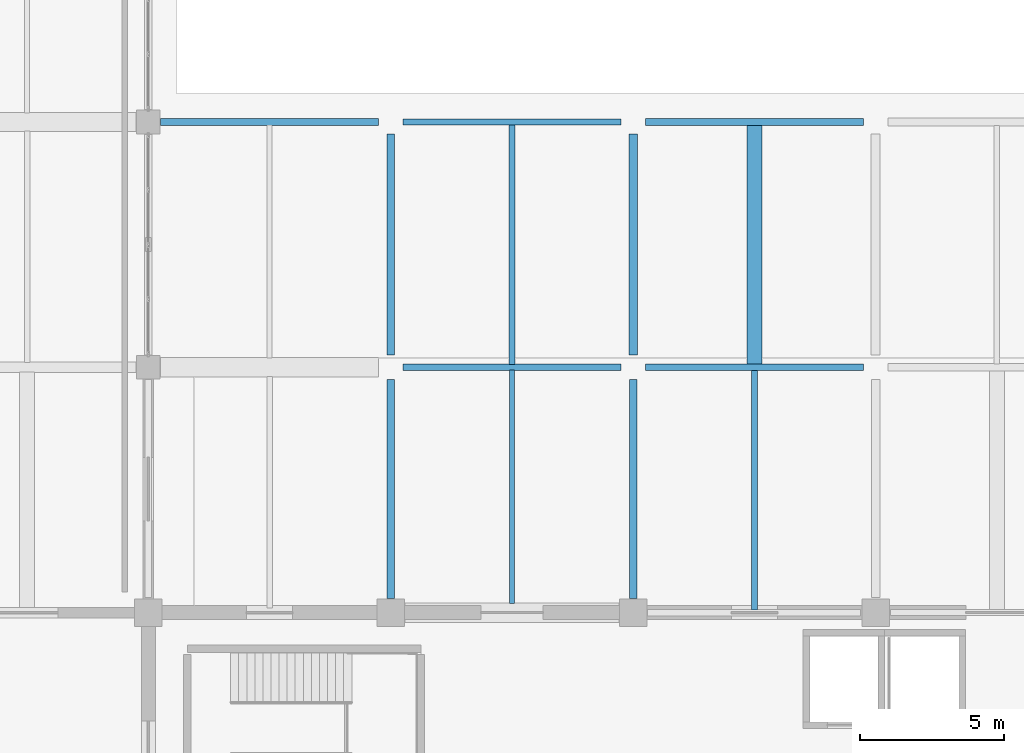
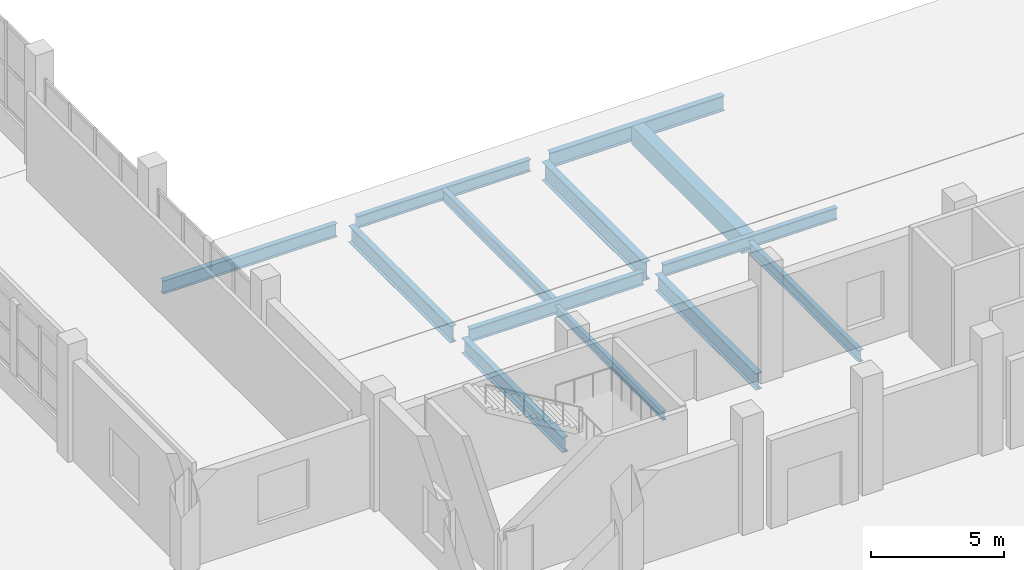
# One storey, part 39 of 107: 13 beams.
"""IFC4 building model written with IfcOpenShell, lengths in metres."""

from ifc_helpers import new_model, si_unit, direction, frame, origin, origin_2d, place, context, subcontext, project, spatial, rectangle, i_section, extrude, material, material_profile, profile_set, type_object, element, save


model = new_model("IFC4")

# Units and contexts
model_context = context("Model", 3, precision=1e-05, world=origin(), true_north=direction((0.0, 1.0)))
body_context = subcontext(model_context, "Body", "Model", "MODEL_VIEW")
ifc_project = project(units=[si_unit("LENGTHUNIT", "METRE"), si_unit("AREAUNIT", "SQUARE_METRE"), si_unit("VOLUMEUNIT", "CUBIC_METRE"), si_unit("PLANEANGLEUNIT", "RADIAN"), si_unit("MASSUNIT", "GRAM", prefix="KILO")], contexts=[model_context])

# Site, building, storey
site_placement = place(None, origin())
site = spatial("IfcSite", under=ifc_project, at=site_placement, CompositionType="ELEMENT")
building_placement = place(site_placement, origin())
building = spatial("IfcBuilding", under=site, at=building_placement, Name="Solvento Point Concert Hall", CompositionType="ELEMENT")
storey_placement = place(building_placement, origin())
storey = spatial("IfcBuildingStorey", under=building, at=storey_placement, Name="L00", CompositionType="ELEMENT", Elevation=0.0)

# Beams
ifc_material_1 = material(Name="Concrete C35/45", Category="concrete")
ifc_material_profile_1 = material_profile(ifc_material_1, rectangle(XDim=0.52001953125, YDim=0.840087890625, at=origin_2d()), Name="RC-BM-520X840")
ifc_profile_set_1 = profile_set([ifc_material_profile_1], Name="Concrete C35/45")
beam_type_1 = type_object("IfcBeamType", Name="Beam_RC_520x840", PredefinedType="BEAM", material=ifc_profile_set_1)
beam_1_placement = place(storey_placement, frame((95.39990234375, 102.092041015625, -0.6640625), z_axis=(0.0, 1.0, 0.0), x_axis=(-1.0, 0.0, 0.0)))
element("IfcBeam", 1, at=beam_1_placement, inside=storey, type_object=beam_type_1, Name="Secondary floor joist B-54 L00", PredefinedType="BEAM", context=body_context, shape_type="SweptSolid", body=[
    extrude(rectangle(XDim=0.52001953125, YDim=0.840087890625, at=origin_2d()), origin(), (0.0, 0.0, 1.0), 8.294921875),
])
ifc_material_2 = material(Name="Structural Steel ASTM A992 Grade 50", Category="steel")
ifc_material_profile_2 = material_profile(ifc_material_2, i_section(OverallWidth=0.20947265625, OverallDepth=0.532958984375, WebThickness=0.01025390625, FlangeThickness=0.015625, at=origin_2d()), Name="W21X62")
ifc_profile_set_2 = profile_set([ifc_material_profile_2], Name="Structural Steel ASTM A992 Grade 50")
beam_type_2 = type_object("IfcBeamType", Name="Beam_W21X62", PredefinedType="BEAM", material=ifc_profile_set_2)
for number, where, z_axis, x_axis, name in (
    (2, (87.0, 102.09912109375, -0.510498046875), (0.0, 1.0, 0.0), (-1.0, 0.0, 0.0), "Secondary floor joist B-25 L00"),
    (3, (95.39990234375, 93.59912109375, -0.700439453125), (0.0, 1.0, 0.0), (-1.0, 0.0, 0.0), "Secondary floor joist B-25 L00"),
):
    element("IfcBeam", number, at=place(storey_placement, frame(where, z_axis=z_axis, x_axis=x_axis)), inside=storey, type_object=beam_type_2, Name=name, PredefinedType="BEAM", context=body_context, shape_type="SweptSolid", body=[
        extrude(i_section(OverallWidth=0.20947265625, OverallDepth=0.532958984375, WebThickness=0.01025390625, FlangeThickness=0.015625, at=origin_2d()), origin(), (0.0, 0.0, 1.0), 8.308837890625),
    ])
ifc_material_3 = material(Name="Structural Steel ASTM A992 Grade 50", Category="steel")
ifc_material_profile_3 = material_profile(ifc_material_3, i_section(OverallWidth=0.214111328125, OverallDepth=0.549072265625, WebThickness=0.0146484375, FlangeThickness=0.023681640625, at=origin_2d()), Name="W21X93")
ifc_profile_set_3 = profile_set([ifc_material_profile_3], Name="Structural Steel ASTM A992 Grade 50")
beam_type_3 = type_object("IfcBeamType", Name="Beam_W21X93", PredefinedType="BEAM", material=ifc_profile_set_3)
beam_2_placement = place(storey_placement, frame((91.6240234375, 102.0, -0.5185546875), z_axis=(1.0, 0.0, 0.0), x_axis=(0.0, 1.0, 0.0)))
element("IfcBeam", 4, at=beam_2_placement, inside=storey, type_object=beam_type_3, Name="Primary girder B-48 L00", PredefinedType="BEAM", context=body_context, shape_type="SweptSolid", body=[
    extrude(i_section(OverallWidth=0.214111328125, OverallDepth=0.549072265625, WebThickness=0.0146484375, FlangeThickness=0.023681640625, at=origin_2d()), origin(), (0.0, 0.0, 1.0), 7.552001953125),
])
beam_3_placement = place(storey_placement, frame((83.22412109375, 110.5, -0.5185546875), z_axis=(1.0, 0.0, 0.0), x_axis=(0.0, 1.0, 0.0)))
element("IfcBeam", 5, at=beam_3_placement, inside=storey, type_object=beam_type_3, Name="Primary girder B-48 L00", PredefinedType="BEAM", context=body_context, shape_type="SweptSolid", body=[
    extrude(i_section(OverallWidth=0.214111328125, OverallDepth=0.549072265625, WebThickness=0.0146484375, FlangeThickness=0.023681640625, at=origin_2d()), origin(), (0.0, 0.0, 1.0), 7.5517578125),
])
ifc_material_4 = material(Name="Structural Steel ASTM A992 Grade 50", Category="steel")
ifc_material_profile_4 = material_profile(ifc_material_4, i_section(OverallWidth=0.228515625, OverallDepth=0.60791015625, WebThickness=0.01123046875, FlangeThickness=0.017333984375, at=origin_2d()), Name="W24X76")
ifc_profile_set_4 = profile_set([ifc_material_profile_4], Name="Structural Steel ASTM A992 Grade 50")
beam_type_4 = type_object("IfcBeamType", Name="Beam_W24X76", PredefinedType="BEAM", material=ifc_profile_set_4)
beam_4_placement = place(storey_placement, frame((83.22412109375, 102.0, -0.548095703125), z_axis=(1.0, 0.0, 0.0), x_axis=(0.0, 1.0, 0.0)))
element("IfcBeam", 6, at=beam_4_placement, inside=storey, type_object=beam_type_4, Name="Primary girder B-42 L00", PredefinedType="BEAM", context=body_context, shape_type="SweptSolid", body=[
    extrude(i_section(OverallWidth=0.228515625, OverallDepth=0.60791015625, WebThickness=0.01123046875, FlangeThickness=0.017333984375, at=origin_2d()), origin(), (0.0, 0.0, 1.0), 7.5517578125),
])
beam_5_placement = place(storey_placement, frame((74.823974609375, 110.5, -0.548095703125), z_axis=(1.0, 0.0, 0.0), x_axis=(0.0, 1.0, 0.0)))
element("IfcBeam", 7, at=beam_5_placement, inside=storey, type_object=beam_type_4, Name="Primary girder B-42 L00", PredefinedType="BEAM", context=body_context, shape_type="SweptSolid", body=[
    extrude(i_section(OverallWidth=0.228515625, OverallDepth=0.60791015625, WebThickness=0.01123046875, FlangeThickness=0.017333984375, at=origin_2d()), origin(), (0.0, 0.0, 1.0), 7.552001953125),
])
ifc_material_5 = material(Name="Structural Steel ASTM A992 Grade 50", Category="steel")
ifc_material_profile_5 = material_profile(ifc_material_5, i_section(OverallWidth=0.256103515625, OverallDepth=0.693115234375, WebThickness=0.014404296875, FlangeThickness=0.023681640625, at=origin_2d()), Name="W27X114")
ifc_profile_set_5 = profile_set([ifc_material_profile_5], Name="Structural Steel ASTM A992 Grade 50")
beam_type_5 = type_object("IfcBeamType", Name="Girder_W27X114", PredefinedType="USERDEFINED", material=ifc_profile_set_5)
beam_6_placement = place(storey_placement, frame((91.6240234375, 110.5, -0.590576171875), z_axis=(1.0, 0.0, 0.0), x_axis=(0.0, 1.0, 0.0)))
element("IfcBeam", 8, at=beam_6_placement, inside=storey, type_object=beam_type_5, Name="Primary girder B-23 L00", ObjectType="GIRDER", PredefinedType="USERDEFINED", context=body_context, shape_type="SweptSolid", body=[
    extrude(i_section(OverallWidth=0.256103515625, OverallDepth=0.693115234375, WebThickness=0.014404296875, FlangeThickness=0.023681640625, at=origin_2d()), origin(), (0.0, 0.0, 1.0), 7.552001953125),
])
beam_7_placement = place(storey_placement, frame((82.800048828125, 93.993896484375, -0.590576171875), z_axis=(0.0, 1.0, 0.0), x_axis=(-1.0, 0.0, 0.0)))
element("IfcBeam", 9, at=beam_7_placement, inside=storey, type_object=beam_type_5, Name="Primary girder B-23 L00", ObjectType="GIRDER", PredefinedType="USERDEFINED", context=body_context, shape_type="SweptSolid", body=[
    extrude(i_section(OverallWidth=0.256103515625, OverallDepth=0.693115234375, WebThickness=0.014404296875, FlangeThickness=0.023681640625, at=origin_2d()), origin(), (0.0, 0.0, 1.0), 7.58203125),
])
ifc_material_6 = material(Name="Structural Steel ASTM A992 Grade 50", Category="steel")
ifc_material_profile_6 = material_profile(ifc_material_6, i_section(OverallWidth=0.26806640625, OverallDepth=0.77001953125, WebThickness=0.015625, FlangeThickness=0.025390625, at=origin_2d()), Name="W30X132")
ifc_profile_set_6 = profile_set([ifc_material_profile_6], Name="Structural Steel ASTM A992 Grade 50")
beam_type_6 = type_object("IfcBeamType", Name="Girder_W30X132", PredefinedType="USERDEFINED", material=ifc_profile_set_6)
beam_8_placement = place(storey_placement, frame((82.800048828125, 102.424072265625, -0.62890625), z_axis=(0.0, 1.0, 0.0), x_axis=(-1.0, 0.0, 0.0)))
element("IfcBeam", 10, at=beam_8_placement, inside=storey, type_object=beam_type_6, Name="Primary girder B-68 L00", ObjectType="GIRDER", PredefinedType="USERDEFINED", context=body_context, shape_type="SweptSolid", body=[
    extrude(i_section(OverallWidth=0.26806640625, OverallDepth=0.77001953125, WebThickness=0.015625, FlangeThickness=0.025390625, at=origin_2d()), origin(), (0.0, 0.0, 1.0), 7.65185546875),
])
beam_9_placement = place(storey_placement, frame((91.199951171875, 93.993896484375, -0.62890625), z_axis=(0.0, 1.0, 0.0), x_axis=(-1.0, 0.0, 0.0)))
element("IfcBeam", 11, at=beam_9_placement, inside=storey, type_object=beam_type_6, Name="Primary girder B-68 L00", ObjectType="GIRDER", PredefinedType="USERDEFINED", context=body_context, shape_type="SweptSolid", body=[
    extrude(i_section(OverallWidth=0.26806640625, OverallDepth=0.77001953125, WebThickness=0.015625, FlangeThickness=0.025390625, at=origin_2d()), origin(), (0.0, 0.0, 1.0), 7.58203125),
])
ifc_material_7 = material(Name="Structural Steel ASTM A992 Grade 50", Category="steel")
ifc_material_profile_7 = material_profile(ifc_material_7, i_section(OverallWidth=0.2919921875, OverallDepth=0.85888671875, WebThickness=0.01708984375, FlangeThickness=0.031005859375, at=origin_2d()), Name="W33X169")
ifc_profile_set_7 = profile_set([ifc_material_profile_7], Name="Structural Steel ASTM A992 Grade 50")
beam_type_7 = type_object("IfcBeamType", Name="Girder_W33X169", PredefinedType="USERDEFINED", material=ifc_profile_set_7)
beam_10_placement = place(storey_placement, frame((91.199951171875, 102.424072265625, -0.673583984375), z_axis=(0.0, 1.0, 0.0), x_axis=(-1.0, 0.0, 0.0)))
element("IfcBeam", 12, at=beam_10_placement, inside=storey, type_object=beam_type_7, Name="Primary girder B-33 L00", ObjectType="GIRDER", PredefinedType="USERDEFINED", context=body_context, shape_type="SweptSolid", body=[
    extrude(i_section(OverallWidth=0.2919921875, OverallDepth=0.85888671875, WebThickness=0.01708984375, FlangeThickness=0.031005859375, at=origin_2d()), origin(), (0.0, 0.0, 1.0), 7.65185546875),
])
ifc_material_8 = material(Name="Structural Steel ASTM A992 Grade 50", Category="steel")
ifc_material_profile_8 = material_profile(ifc_material_8, i_section(OverallWidth=0.177490234375, OverallDepth=0.403076171875, WebThickness=0.007568359375, FlangeThickness=0.010986328125, at=origin_2d()), Name="W16X36")
ifc_profile_set_8 = profile_set([ifc_material_profile_8], Name="Structural Steel ASTM A992 Grade 50")
beam_type_8 = type_object("IfcBeamType", Name="Joist_W16X36", PredefinedType="JOIST", material=ifc_profile_set_8)
beam_11_placement = place(storey_placement, frame((87.0, 93.824951171875, -0.635498046875), z_axis=(0.0, 1.0, 0.0), x_axis=(-1.0, 0.0, 0.0)))
element("IfcBeam", 13, at=beam_11_placement, inside=storey, type_object=beam_type_8, Name="Secondary floor joist B-30 L00", PredefinedType="JOIST", context=body_context, shape_type="SweptSolid", body=[
    extrude(i_section(OverallWidth=0.177490234375, OverallDepth=0.403076171875, WebThickness=0.007568359375, FlangeThickness=0.010986328125, at=origin_2d()), origin(), (0.0, 0.0, 1.0), 8.075927734375),
])

save(model, "model.ifc")
